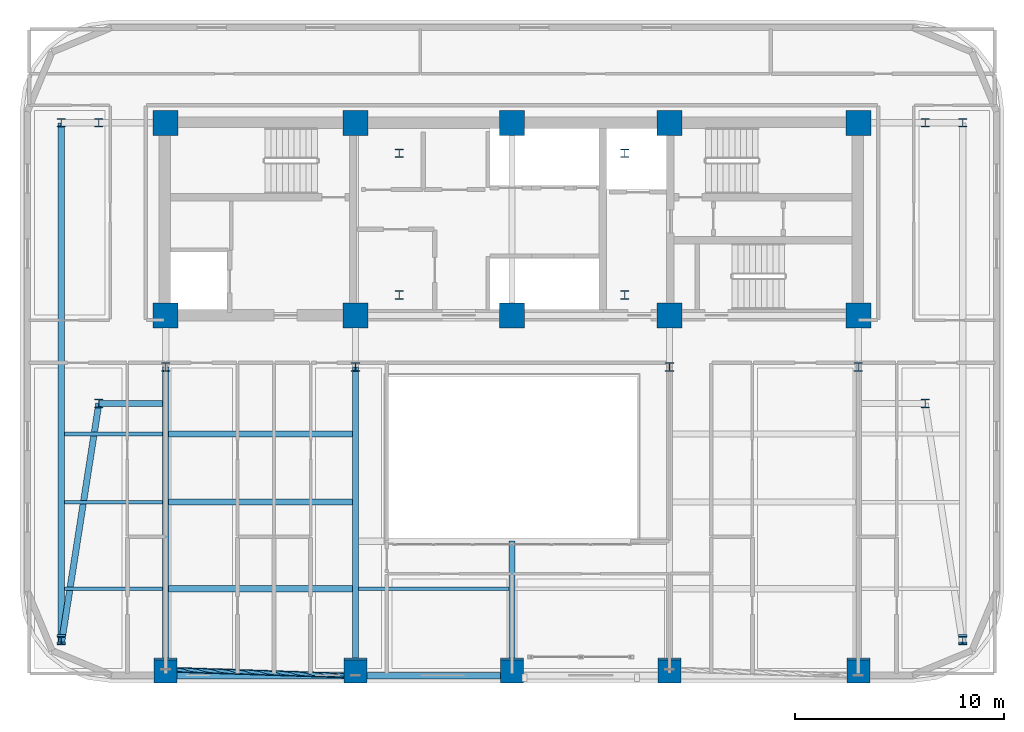
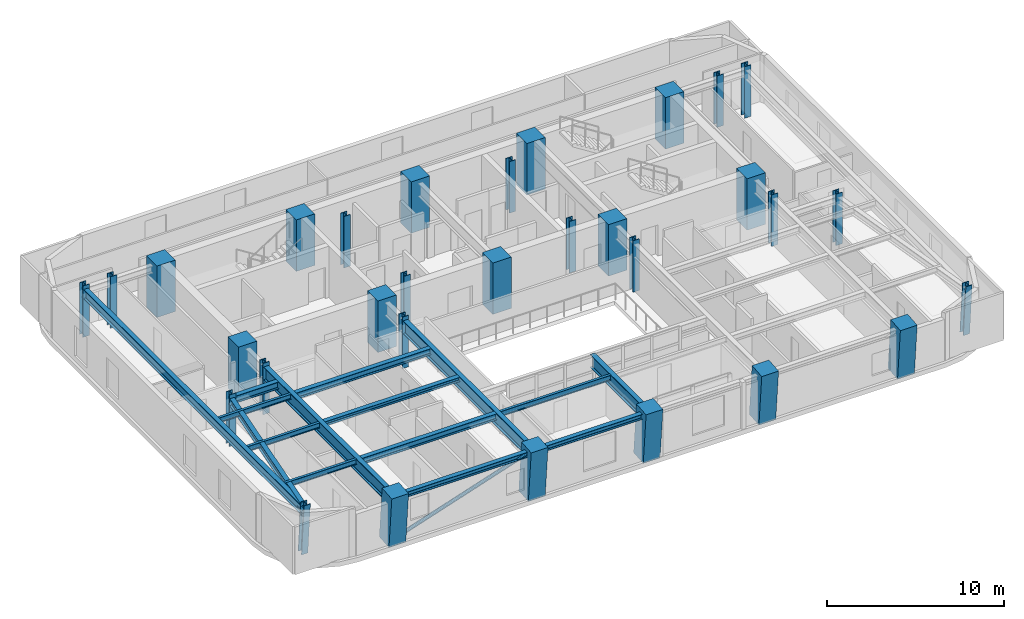
# One storey, part 1 of 13: 31 columns, 15 beams, 1 member.
"""IFC4 building model written with IfcOpenShell, lengths in metres."""

from ifc_helpers import new_model, si_unit, direction, frame, origin, origin_2d, place, context, subcontext, project, spatial, rectangle, hollow_circle, i_section, extrude, material, material_profile, profile_set, type_object, element, save


model = new_model("IFC4")

# Units and contexts
model_context = context("Model", 3, precision=1e-05, world=origin(), true_north=direction((0.0, 1.0)))
body_context = subcontext(model_context, "Body", "Model", "MODEL_VIEW")
ifc_project = project(units=[si_unit("LENGTHUNIT", "METRE"), si_unit("AREAUNIT", "SQUARE_METRE"), si_unit("VOLUMEUNIT", "CUBIC_METRE"), si_unit("PLANEANGLEUNIT", "RADIAN"), si_unit("MASSUNIT", "GRAM", prefix="KILO")], contexts=[model_context])

# Site, building, storey
site_placement = place(None, origin())
site = spatial("IfcSite", under=ifc_project, at=site_placement, CompositionType="ELEMENT")
building_placement = place(site_placement, origin())
building = spatial("IfcBuilding", under=site, at=building_placement, Name="Zarnavel Station Tower", CompositionType="ELEMENT")
storey_placement = place(building_placement, frame((0.0, 0.0, 169.64990234375)))
storey = spatial("IfcBuildingStorey", under=building, at=storey_placement, Name="L46", CompositionType="ELEMENT", Elevation=169.64990234375)

# Columns
ifc_material_1 = material(Name="Steel S355J2", Category="steel")
ifc_material_profile_1 = material_profile(ifc_material_1, i_section(OverallWidth=0.4130859375, OverallDepth=0.4150390625, WebThickness=0.030029296875, FlangeThickness=0.047119140625, FilletRadius=0.014892578125, at=origin_2d()), Name="HD400x347")
ifc_profile_set_1 = profile_set([ifc_material_profile_1], Name="Steel S355J2")
column_type_1 = type_object("IfcColumnType", Name="EC_HD347", PredefinedType="COLUMN", material=ifc_profile_set_1)
column_1_placement = place(storey_placement, frame((7.199951171875, 12.326904296875, 0.0), z_axis=(0.0, -0.079862380324, 0.996805898964), x_axis=(1.0, 0.0, 0.0)))
element("IfcColumn", 1, at=column_1_placement, inside=storey, type_object=column_type_1, Name="L46 Raked Wing Column 1", PredefinedType="COLUMN", context=body_context, shape_type="SweptSolid", body=[
    extrude(i_section(OverallWidth=0.4130859375, OverallDepth=0.4150390625, WebThickness=0.030029296875, FlangeThickness=0.047119140625, FilletRadius=0.014892578125, at=origin_2d()), origin(), (0.0, 0.0, 1.0), 3.5615234375),
])
column_2_placement = place(storey_placement, frame((7.199951171875, 37.050048828125, 0.0), z_axis=(0.0, 0.0, 1.0), x_axis=(1.0, 0.0, 0.0)))
element("IfcColumn", 2, at=column_2_placement, inside=storey, type_object=column_type_1, Name="L46 Outer Wing North Column 1", PredefinedType="COLUMN", context=body_context, shape_type="SweptSolid", body=[
    extrude(i_section(OverallWidth=0.4130859375, OverallDepth=0.4150390625, WebThickness=0.030029296875, FlangeThickness=0.047119140625, FilletRadius=0.014892578125, at=origin_2d()), origin(), (0.0, 0.0, 1.0), 3.550048828125),
])
column_3_placement = place(storey_placement, frame((50.39990234375, 12.326904296875, 0.0), z_axis=(0.0, -0.079862380324, 0.996805898964), x_axis=(1.0, 0.0, 0.0)))
element("IfcColumn", 3, at=column_3_placement, inside=storey, type_object=column_type_1, Name="L46 Raked Wing Column 2", PredefinedType="COLUMN", context=body_context, shape_type="SweptSolid", body=[
    extrude(i_section(OverallWidth=0.4130859375, OverallDepth=0.4150390625, WebThickness=0.030029296875, FlangeThickness=0.047119140625, FilletRadius=0.014892578125, at=origin_2d()), origin(), (0.0, 0.0, 1.0), 3.5615234375),
])
column_4_placement = place(storey_placement, frame((50.39990234375, 37.050048828125, 0.0), z_axis=(0.0, 0.0, 1.0), x_axis=(1.0, 0.0, 0.0)))
element("IfcColumn", 4, at=column_4_placement, inside=storey, type_object=column_type_1, Name="L46 Outer Wing North Column 2", PredefinedType="COLUMN", context=body_context, shape_type="SweptSolid", body=[
    extrude(i_section(OverallWidth=0.4130859375, OverallDepth=0.4150390625, WebThickness=0.030029296875, FlangeThickness=0.047119140625, FilletRadius=0.014892578125, at=origin_2d()), origin(), (0.0, 0.0, 1.0), 3.550048828125),
])
ifc_material_2 = material(Name="Steel S355J2", Category="steel")
ifc_material_profile_2 = material_profile(ifc_material_2, i_section(OverallWidth=0.4130859375, OverallDepth=0.4150390625, WebThickness=0.030029296875, FlangeThickness=0.047119140625, FilletRadius=0.014892578125, at=origin_2d()), Name="HD400x347")
ifc_profile_set_2 = profile_set([ifc_material_profile_2], Name="Steel S355J2")
column_type_2 = type_object("IfcColumnType", Name="IC_HD347", PredefinedType="COLUMN", material=ifc_profile_set_2)
for number, where, z_axis, x_axis, name in (
    (5, (23.39990234375, 28.800048828125, 0.0), (0.0, 0.0, 1.0), (1.0, 0.0, 0.0), "L46 Mast Spine Column 1"),
    (6, (34.199951171875, 28.800048828125, 0.0), (0.0, 0.0, 1.0), (1.0, 0.0, 0.0), "L46 Mast Spine Column 2"),
    (7, (34.199951171875, 35.60009765625, 0.0), (0.0, 0.0, 1.0), (1.0, 0.0, 0.0), "L46 Mast Spine Column 3"),
    (8, (23.39990234375, 35.60009765625, 0.0), (0.0, 0.0, 1.0), (1.0, 0.0, 0.0), "L46 Mast Spine Column 4"),
    (9, (12.199951171875, 25.35009765625, 0.0), (0.0, 0.0, 1.0), (1.0, 0.0, 0.0), "L46 Inner Spine Column 1"),
    (10, (21.300048828125, 25.35009765625, 0.0), (0.0, 0.0, 1.0), (1.0, 0.0, 0.0), "L46 Inner Spine Column 2"),
    (11, (36.35009765625, 25.35009765625, 0.0), (0.0, 0.0, 1.0), (1.0, 0.0, 0.0), "L46 Inner Spine Column 4"),
    (12, (45.39990234375, 25.35009765625, 0.0), (0.0, 0.0, 1.0), (1.0, 0.0, 0.0), "L46 Inner Spine Column 5"),
    (13, (9.0, 23.60009765625, 0.0), (0.0, 0.0, 1.0), (1.0, 0.0, 0.0), "L46 Inner Wing Spine Column 1-1"),
    (14, (9.0, 37.050048828125, 0.0), (0.0, 0.0, 1.0), (1.0, 0.0, 0.0), "L46 Inner Wing Spine Column 1-2"),
    (15, (48.60009765625, 23.60009765625, 0.0), (0.0, 0.0, 1.0), (1.0, 0.0, 0.0), "L46 Inner Wing Spine Column 2-1"),
    (16, (48.60009765625, 37.050048828125, 0.0), (0.0, 0.0, 1.0), (1.0, 0.0, 0.0), "L46 Inner Wing Spine Column 2-2"),
):
    element("IfcColumn", number, at=place(storey_placement, frame(where, z_axis=z_axis, x_axis=x_axis)), inside=storey, type_object=column_type_2, Name=name, PredefinedType="COLUMN", context=body_context, shape_type="SweptSolid", body=[
        extrude(i_section(OverallWidth=0.4130859375, OverallDepth=0.4150390625, WebThickness=0.030029296875, FlangeThickness=0.047119140625, FilletRadius=0.014892578125, at=origin_2d()), origin(), (0.0, 0.0, 1.0), 3.550048828125),
    ])
ifc_material_3 = material(Name="Concrete C50/60", Category="concrete")
ifc_material_profile_3 = material_profile(ifc_material_3, rectangle(XDim=1.199951171875, YDim=1.199951171875, at=origin_2d()), Name="RC1200x1200")
ifc_profile_set_3 = profile_set([ifc_material_profile_3], Name="Concrete C50/60")
column_type_3 = type_object("IfcColumnType", Name="IC_RC1200", PredefinedType="COLUMN", material=ifc_profile_set_3)
for number, where, z_axis, x_axis, name in (
    (17, (12.199951171875, 27.820068359375, 0.0), (0.0, 0.0, 1.0), (1.0, 0.0, 0.0), "L46 Core Spine Column 1-1"),
    (18, (12.199951171875, 37.050048828125, 0.0), (0.0, 0.0, 1.0), (1.0, 0.0, 0.0), "L46 Core Spine Column 1-2"),
    (19, (21.300048828125, 27.820068359375, 0.0), (0.0, 0.0, 1.0), (1.0, 0.0, 0.0), "L46 Core Spine Column 2-1"),
    (20, (21.300048828125, 37.050048828125, 0.0), (0.0, 0.0, 1.0), (1.0, 0.0, 0.0), "L46 Core Spine Column 2-2"),
    (21, (28.800048828125, 27.820068359375, 0.0), (0.0, 0.0, 1.0), (1.0, 0.0, 0.0), "L46 Core Spine Column 3-1"),
    (22, (28.800048828125, 37.050048828125, 0.0), (0.0, 0.0, 1.0), (1.0, 0.0, 0.0), "L46 Core Spine Column 3-2"),
    (23, (36.35009765625, 27.820068359375, 0.0), (0.0, 0.0, 1.0), (1.0, 0.0, 0.0), "L46 Core Spine Column 4-1"),
    (24, (36.35009765625, 37.050048828125, 0.0), (0.0, 0.0, 1.0), (1.0, 0.0, 0.0), "L46 Core Spine Column 4-2"),
    (25, (45.39990234375, 27.820068359375, 0.0), (0.0, 0.0, 1.0), (1.0, 0.0, 0.0), "L46 Core Spine Column 5-1"),
    (26, (45.39990234375, 37.050048828125, 0.0), (0.0, 0.0, 1.0), (1.0, 0.0, 0.0), "L46 Core Spine Column 5-2"),
):
    element("IfcColumn", number, at=place(storey_placement, frame(where, z_axis=z_axis, x_axis=x_axis)), inside=storey, type_object=column_type_3, Name=name, PredefinedType="COLUMN", context=body_context, shape_type="SweptSolid", body=[
        extrude(rectangle(XDim=1.199951171875, YDim=1.199951171875, at=origin_2d()), origin(), (0.0, 0.0, 1.0), 3.550048828125),
    ])
ifc_material_4 = material(Name="Concrete C50/60", Category="concrete")
ifc_material_profile_4 = material_profile(ifc_material_4, rectangle(XDim=1.10009765625, YDim=1.10009765625, at=origin_2d()), Name="RC1100x1100")
ifc_profile_set_4 = profile_set([ifc_material_profile_4], Name="Concrete C50/60")
column_type_4 = type_object("IfcColumnType", Name="MC_RC1100", PredefinedType="COLUMN", material=ifc_profile_set_4)
for number, where, z_axis, x_axis, name in (
    (27, (12.199951171875, 10.854248046875, 0.0), (0.0, -0.090202269788, 0.995923466199), (1.0, 0.0, 0.0), "L46 Raked South Mega-Column 1"),
    (28, (21.300048828125, 10.854248046875, 0.0), (0.0, -0.090202269788, 0.995923466199), (1.0, 0.0, 0.0), "L46 Raked South Mega-Column 2"),
    (29, (28.800048828125, 10.854248046875, 0.0), (0.0, -0.090202269788, 0.995923466199), (1.0, 0.0, 0.0), "L46 Raked South Mega-Column 3"),
    (30, (36.35009765625, 10.854248046875, 0.0), (0.0, -0.090202269788, 0.995923466199), (1.0, 0.0, 0.0), "L46 Raked South Mega-Column 4"),
    (31, (45.39990234375, 10.854248046875, 0.0), (0.0, -0.090202269788, 0.995923466199), (1.0, 0.0, 0.0), "L46 Raked South Mega-Column 5"),
):
    element("IfcColumn", number, at=place(storey_placement, frame(where, z_axis=z_axis, x_axis=x_axis)), inside=storey, type_object=column_type_4, Name=name, PredefinedType="COLUMN", context=body_context, shape_type="SweptSolid", body=[
        extrude(rectangle(XDim=1.10009765625, YDim=1.10009765625, at=origin_2d()), origin(), (0.0, 0.0, 1.0), 3.564697265625),
    ])

# Member
ifc_material_5 = material(Name="Steel S355J2", Category="steel")
ifc_material_profile_5 = material_profile(ifc_material_5, hollow_circle(Radius=0.122314453125, WallThickness=0.010009765625, at=origin_2d()), Name="CHS244.5x10")
ifc_profile_set_5 = profile_set([ifc_material_profile_5], Name="Steel S355J2")
member_type = type_object("IfcMemberType", Name="DB_EXT_CHS245", PredefinedType="BRACE", material=ifc_profile_set_5)
member_placement = place(storey_placement, frame((12.199951171875, 10.854248046875, 0.0), z_axis=(0.93997940641, -0.030791298364, 0.339839096442), x_axis=(0.032739857023, 0.999463907183, 0.0)))
element("IfcMember", 32, at=member_placement, inside=storey, type_object=member_type, Name="L46 Persian Exterior Diagonal Frame Brace 1", PredefinedType="BRACE", context=body_context, shape_type="SweptSolid", body=[
    extrude(hollow_circle(Radius=0.122314453125, WallThickness=0.010009765625, at=origin_2d()), origin(), (0.0, 0.0, 1.0), 9.68115234375),
])

# Beams
ifc_material_6 = material(Name="Steel S355J2", Category="steel")
ifc_material_profile_6 = material_profile(ifc_material_6, i_section(OverallWidth=0.300048828125, OverallDepth=0.360107421875, WebThickness=0.012451171875, FlangeThickness=0.0224609375, FilletRadius=0.027099609375, at=origin_2d()), Name="HEB360")
ifc_profile_set_6 = profile_set([ifc_material_profile_6], Name="Steel S355J2")
beam_type_1 = type_object("IfcBeamType", Name="EB_HEB360", PredefinedType="SPANDREL", material=ifc_profile_set_6)
beam_1_placement = place(storey_placement, frame((12.199951171875, 10.55615234375, 3.110107421875), z_axis=(1.0, 0.0, 0.0), x_axis=(0.0, 1.0, 0.0)))
element("IfcBeam", 33, at=beam_1_placement, inside=storey, type_object=beam_type_1, Name="L46 South Raked Spandrel 1", PredefinedType="SPANDREL", context=body_context, shape_type="SweptSolid", body=[
    extrude(i_section(OverallWidth=0.300048828125, OverallDepth=0.360107421875, WebThickness=0.012451171875, FlangeThickness=0.0224609375, FilletRadius=0.027099609375, at=origin_2d()), origin(), (0.0, 0.0, 1.0), 9.10009765625),
])
beam_2_placement = place(storey_placement, frame((21.300048828125, 10.55615234375, 3.110107421875), z_axis=(1.0, 0.0, 0.0), x_axis=(0.0, 1.0, 0.0)))
element("IfcBeam", 34, at=beam_2_placement, inside=storey, type_object=beam_type_1, Name="L46 South Raked Spandrel 2", PredefinedType="SPANDREL", context=body_context, shape_type="SweptSolid", body=[
    extrude(i_section(OverallWidth=0.300048828125, OverallDepth=0.360107421875, WebThickness=0.012451171875, FlangeThickness=0.0224609375, FilletRadius=0.027099609375, at=origin_2d()), origin(), (0.0, 0.0, 1.0), 7.5),
])
ifc_material_7 = material(Name="Steel S355J2", Category="steel")
ifc_material_profile_7 = material_profile(ifc_material_7, i_section(OverallWidth=0.300048828125, OverallDepth=0.31005859375, WebThickness=0.009033203125, FlangeThickness=0.015380859375, FilletRadius=0.027099609375, at=origin_2d()), Name="HEA320")
ifc_profile_set_7 = profile_set([ifc_material_profile_7], Name="Steel S355J2")
beam_type_2 = type_object("IfcBeamType", Name="FB_HEA320", PredefinedType="BEAM", material=ifc_profile_set_7)
beam_3_placement = place(storey_placement, frame((12.344970703125, 18.878173828125, 3.135009765625), z_axis=(1.0, 0.0, 0.0), x_axis=(0.0, 1.0, 0.0)))
element("IfcBeam", 35, at=beam_3_placement, inside=storey, type_object=beam_type_2, Name="L46 West Bay Beam 2", PredefinedType="BEAM", context=body_context, shape_type="SweptSolid", body=[
    extrude(i_section(OverallWidth=0.300048828125, OverallDepth=0.31005859375, WebThickness=0.009033203125, FlangeThickness=0.015380859375, FilletRadius=0.027099609375, at=origin_2d()), origin(), (0.0, 0.0, 1.0), 8.81005859375),
])
ifc_material_8 = material(Name="Steel S355J2", Category="steel")
ifc_material_profile_8 = material_profile(ifc_material_8, i_section(OverallWidth=0.300048828125, OverallDepth=0.43994140625, WebThickness=0.011474609375, FlangeThickness=0.02099609375, FilletRadius=0.027099609375, at=origin_2d()), Name="HEA450")
ifc_profile_set_8 = profile_set([ifc_material_profile_8], Name="Steel S355J2")
beam_type_3 = type_object("IfcBeamType", Name="FB_HEA450", PredefinedType="BEAM", material=ifc_profile_set_8)
for number, where, z_axis, x_axis, name in (
    (36, (12.344970703125, 14.71728515625, 3.070068359375), (1.0, 0.0, 0.0), (0.0, 1.0, 0.0), "L46 West Bay Beam 1"),
    (37, (12.344970703125, 22.138916015625, 3.070068359375), (1.0, 0.0, 0.0), (0.0, 1.0, 0.0), "L46 West Bay Beam 3"),
):
    element("IfcBeam", number, at=place(storey_placement, frame(where, z_axis=z_axis, x_axis=x_axis)), inside=storey, type_object=beam_type_3, Name=name, PredefinedType="BEAM", context=body_context, shape_type="SweptSolid", body=[
        extrude(i_section(OverallWidth=0.300048828125, OverallDepth=0.43994140625, WebThickness=0.011474609375, FlangeThickness=0.02099609375, FilletRadius=0.027099609375, at=origin_2d()), origin(), (0.0, 0.0, 1.0), 8.81005859375),
    ])
ifc_material_9 = material(Name="Steel S355J2", Category="steel")
ifc_material_profile_9 = material_profile(ifc_material_9, i_section(OverallWidth=0.300048828125, OverallDepth=0.5, WebThickness=0.014404296875, FlangeThickness=0.028076171875, FilletRadius=0.027099609375, at=origin_2d()), Name="HEB500")
ifc_profile_set_9 = profile_set([ifc_material_profile_9], Name="Steel S355J2")
beam_type_4 = type_object("IfcBeamType", Name="FG_HEB500", PredefinedType="USERDEFINED", material=ifc_profile_set_9)
beam_4_placement = place(storey_placement, frame((7.199951171875, 12.063232421875, 3.0400390625), z_axis=(0.154160652777, 0.98804579506, 0.0), x_axis=(-0.98804579506, 0.154160652777, 0.0)))
element("IfcBeam", 38, at=beam_4_placement, inside=storey, type_object=beam_type_4, Name="L46 West Wing South Tie 1", ObjectType="GIRDER", PredefinedType="USERDEFINED", context=body_context, shape_type="SweptSolid", body=[
    extrude(i_section(OverallWidth=0.300048828125, OverallDepth=0.5, WebThickness=0.014404296875, FlangeThickness=0.028076171875, FilletRadius=0.027099609375, at=origin_2d()), origin(), (0.0, 0.0, 1.0), 11.676513671875),
])
beam_5_placement = place(storey_placement, frame((9.0, 23.60009765625, 3.0400390625), z_axis=(1.0, 0.0, 0.0), x_axis=(0.0, 1.0, 0.0)))
element("IfcBeam", 39, at=beam_5_placement, inside=storey, type_object=beam_type_4, Name="L46 West Wing South Tie 2", ObjectType="GIRDER", PredefinedType="USERDEFINED", context=body_context, shape_type="SweptSolid", body=[
    extrude(i_section(OverallWidth=0.300048828125, OverallDepth=0.5, WebThickness=0.014404296875, FlangeThickness=0.028076171875, FilletRadius=0.027099609375, at=origin_2d()), origin(), (0.0, 0.0, 1.0), 3.054931640625),
])
ifc_material_10 = material(Name="Steel S355J2", Category="steel")
ifc_material_profile_10 = material_profile(ifc_material_10, i_section(OverallWidth=0.300048828125, OverallDepth=0.64990234375, WebThickness=0.01611328125, FlangeThickness=0.031005859375, FilletRadius=0.027099609375, at=origin_2d()), Name="HEB650")
ifc_profile_set_10 = profile_set([ifc_material_profile_10], Name="Steel S355J2")
beam_type_5 = type_object("IfcBeamType", Name="FG_HEB650", PredefinedType="USERDEFINED", material=ifc_profile_set_10)
beam_6_placement = place(storey_placement, frame((7.199951171875, 12.063232421875, 2.965087890625), z_axis=(0.0, 1.0, 0.0), x_axis=(-1.0, 0.0, 0.0)))
element("IfcBeam", 40, at=beam_6_placement, inside=storey, type_object=beam_type_5, Name="L46 Wing NS Girder 1", ObjectType="GIRDER", PredefinedType="USERDEFINED", context=body_context, shape_type="SweptSolid", body=[
    extrude(i_section(OverallWidth=0.300048828125, OverallDepth=0.64990234375, WebThickness=0.01611328125, FlangeThickness=0.031005859375, FilletRadius=0.027099609375, at=origin_2d()), origin(), (0.0, 0.0, 1.0), 24.98681640625),
])
ifc_material_11 = material(Name="Steel S355J2", Category="steel")
ifc_material_profile_11 = material_profile(ifc_material_11, i_section(OverallWidth=0.169921875, OverallDepth=0.360107421875, WebThickness=0.008056640625, FlangeThickness=0.0126953125, FilletRadius=0.01806640625, at=origin_2d()), Name="IPE360")
ifc_profile_set_11 = profile_set([ifc_material_profile_11], Name="Steel S355J2")
beam_type_6 = type_object("IfcBeamType", Name="FJ_IPE360", PredefinedType="JOIST", material=ifc_profile_set_11)
beam_7_placement = place(storey_placement, frame((21.445068359375, 14.71728515625, 3.110107421875), z_axis=(1.0, 0.0, 0.0), x_axis=(0.0, 1.0, 0.0)))
element("IfcBeam", 41, at=beam_7_placement, inside=storey, type_object=beam_type_6, Name="L46 Mid-West Joist 1", PredefinedType="JOIST", context=body_context, shape_type="SweptSolid", body=[
    extrude(i_section(OverallWidth=0.169921875, OverallDepth=0.360107421875, WebThickness=0.008056640625, FlangeThickness=0.0126953125, FilletRadius=0.01806640625, at=origin_2d()), origin(), (0.0, 0.0, 1.0), 7.2099609375),
])
for number, where, z_axis, x_axis, name in (
    (42, (7.344970703125, 14.71728515625, 3.110107421875), (1.0, 0.0, 0.0), (0.0, 1.0, 0.0), "L46 West Wing Joist 1"),
    (43, (7.344970703125, 18.878173828125, 3.110107421875), (1.0, 0.0, 0.0), (0.0, 1.0, 0.0), "L46 West Wing Joist 2"),
    (44, (7.344970703125, 22.138916015625, 3.110107421875), (1.0, 0.0, 0.0), (0.0, 1.0, 0.0), "L46 West Wing Joist 3"),
):
    element("IfcBeam", number, at=place(storey_placement, frame(where, z_axis=z_axis, x_axis=x_axis)), inside=storey, type_object=beam_type_6, Name=name, PredefinedType="JOIST", context=body_context, shape_type="SweptSolid", body=[
        extrude(i_section(OverallWidth=0.169921875, OverallDepth=0.360107421875, WebThickness=0.008056640625, FlangeThickness=0.0126953125, FilletRadius=0.01806640625, at=origin_2d()), origin(), (0.0, 0.0, 1.0), 4.7099609375),
    ])
ifc_material_12 = material(Name="Steel S460M", Category="steel")
ifc_material_profile_12 = material_profile(ifc_material_12, i_section(OverallWidth=0.302001953125, OverallDepth=0.909912109375, WebThickness=0.02099609375, FlangeThickness=0.0400390625, FilletRadius=0.030029296875, at=origin_2d()), Name="HEM900")
ifc_profile_set_12 = profile_set([ifc_material_profile_12], Name="Steel S460M")
beam_type_7 = type_object("IfcBeamType", Name="TG_HEM900", PredefinedType="USERDEFINED", material=ifc_profile_set_12)
for number, where, z_axis, x_axis, name in (
    (45, (12.199951171875, 10.55615234375, 2.835205078125), (0.0, 1.0, 0.0), (-1.0, 0.0, 0.0), "L46 South-Zone NS Girder 1"),
    (46, (21.300048828125, 10.55615234375, 2.835205078125), (0.0, 1.0, 0.0), (-1.0, 0.0, 0.0), "L46 South-Zone NS Girder 2"),
):
    element("IfcBeam", number, at=place(storey_placement, frame(where, z_axis=z_axis, x_axis=x_axis)), inside=storey, type_object=beam_type_7, Name=name, ObjectType="GIRDER", PredefinedType="USERDEFINED", context=body_context, shape_type="SweptSolid", body=[
        extrude(i_section(OverallWidth=0.302001953125, OverallDepth=0.909912109375, WebThickness=0.02099609375, FlangeThickness=0.0400390625, FilletRadius=0.030029296875, at=origin_2d()), origin(), (0.0, 0.0, 1.0), 14.7939453125),
    ])
beam_8_placement = place(storey_placement, frame((28.800048828125, 10.55615234375, 2.835205078125), z_axis=(0.0, 1.0, 0.0), x_axis=(-1.0, 0.0, 0.0)))
element("IfcBeam", 47, at=beam_8_placement, inside=storey, type_object=beam_type_7, Name="L46 Central Atrium-South Girder", ObjectType="GIRDER", PredefinedType="USERDEFINED", context=body_context, shape_type="SweptSolid", body=[
    extrude(i_section(OverallWidth=0.302001953125, OverallDepth=0.909912109375, WebThickness=0.02099609375, FlangeThickness=0.0400390625, FilletRadius=0.030029296875, at=origin_2d()), origin(), (0.0, 0.0, 1.0), 6.44384765625),
])

save(model, "model.ifc")
